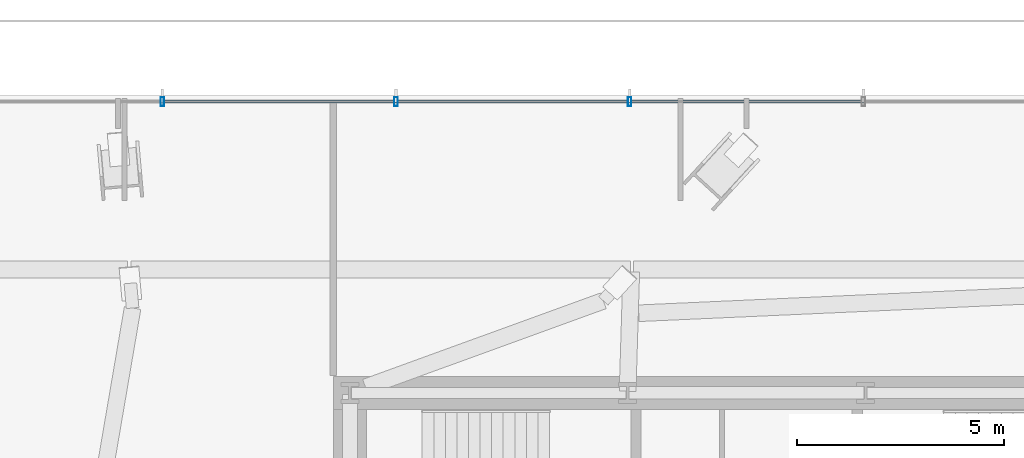
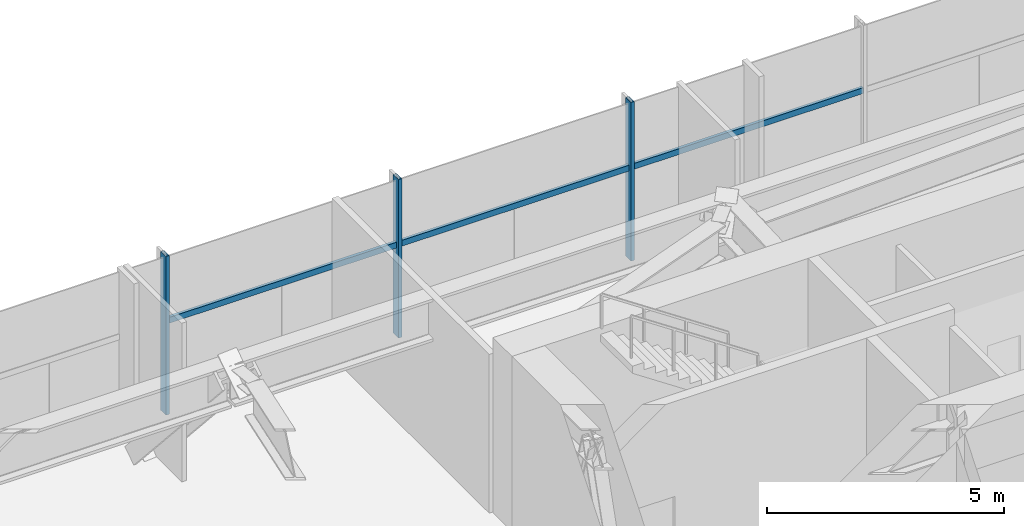
# One storey, part 12 of 29: 6 members, 1 element without a shape of its own.
"""IFC4 building model written with IfcOpenShell, lengths in metres."""

from ifc_helpers import new_model, si_unit, direction, frame, origin, origin_2d, place, context, subcontext, project, spatial, hollow_rectangle, extrude, source, transform, mapped, material, material_profile, profile_set, type_object, type_shapes, element, aggregate, save


model = new_model("IFC4")

# Units and contexts
model_context = context("Model", 3, precision=1e-05, world=origin(), true_north=direction((0.0, 1.0)))
body_context = subcontext(model_context, "Body", "Model", "MODEL_VIEW")
ifc_project = project(units=[si_unit("LENGTHUNIT", "METRE"), si_unit("AREAUNIT", "SQUARE_METRE"), si_unit("VOLUMEUNIT", "CUBIC_METRE"), si_unit("PLANEANGLEUNIT", "RADIAN"), si_unit("MASSUNIT", "GRAM", prefix="KILO")], contexts=[model_context])

# Site, building, storey
site_placement = place(None, origin())
site = spatial("IfcSite", under=ifc_project, at=site_placement, CompositionType="ELEMENT")
building_placement = place(site_placement, origin())
building = spatial("IfcBuilding", under=site, at=building_placement, Name="Astriad Promenade Condominiums", CompositionType="ELEMENT")
storey_placement = place(building_placement, frame((0.0, 0.0, 18.5)))
storey = spatial("IfcBuildingStorey", under=building, at=storey_placement, Name="L04", CompositionType="ELEMENT", Elevation=18.5)

# Curtain wall, members
ifc_material_1 = material(Name="Anodised aluminium Black Dark Glass Unitised", Category="aluminium")
curtain_wall_type = type_object("IfcCurtainWallType", Name="CW-POD-DARK", PredefinedType="USERDEFINED", material=ifc_material_1)
curtain_wall_placement = place(storey_placement, origin())
curtain_wall = element("IfcCurtainWall", 1, at=curtain_wall_placement, inside=storey, type_object=curtain_wall_type, Name="CW-L04-N", ObjectType="UNITISED_CURTAIN_WALL", PredefinedType="USERDEFINED")
ifc_material_2 = material(Name="Anodised aluminium 6063-T6 Black", Category="aluminium")
ifc_material_profile_1 = material_profile(ifc_material_2, hollow_rectangle(XDim=0.0849609375, YDim=0.219970703125, WallThickness=0.0048828125, at=origin_2d()), Name="ALU-MUL-85X220")
ifc_profile_set_1 = profile_set([ifc_material_profile_1], Name="Anodised aluminium 6063-T6 Black")
member_type_1 = type_object("IfcMemberType", Name="MUL-ALU-MUL-85X220", PredefinedType="MULLION", material=ifc_profile_set_1)
shared_shape_1 = source(origin(), body_context, "Body", "SweptSolid", [
    extrude(hollow_rectangle(XDim=0.0849609375, YDim=0.219970703125, WallThickness=0.0048828125, at=origin_2d()), origin(), (0.0, 0.0, 1.0), 4.080078125),
])
type_shapes(member_type_1, [shared_shape_1])
member_1_placement = place(storey_placement, frame((21.861083984375, 31.050048828125, 0.0), z_axis=(0.0, 0.0, 1.0), x_axis=(1.0, 0.0, 0.0)))
member_1 = element("IfcMember", 2, at=member_1_placement, type_object=member_type_1, Name="CW-L04-N-MUL-02", PredefinedType="MULLION", context=body_context, shape_type="MappedRepresentation", body=[
    mapped(shared_shape_1, transform((0.0, 0.0, 0.0), scale=1.0)),
])
member_2_placement = place(storey_placement, frame((27.5166015625, 31.050048828125, 0.0), z_axis=(0.0, 0.0, 1.0), x_axis=(1.0, 0.0, 0.0)))
member_2 = element("IfcMember", 3, at=member_2_placement, type_object=member_type_1, Name="CW-L04-N-MUL-03", PredefinedType="MULLION", context=body_context, shape_type="MappedRepresentation", body=[
    mapped(shared_shape_1, transform((0.0, 0.0, 0.0), scale=1.0)),
])
member_3_placement = place(storey_placement, frame((33.172119140625, 31.050048828125, 0.0), z_axis=(0.0, 0.0, 1.0), x_axis=(1.0, 0.0, 0.0)))
member_3 = element("IfcMember", 4, at=member_3_placement, type_object=member_type_1, Name="CW-L04-N-MUL-04", PredefinedType="MULLION", context=body_context, shape_type="MappedRepresentation", body=[
    mapped(shared_shape_1, transform((0.0, 0.0, 0.0), scale=1.0)),
])
ifc_material_profile_2 = material_profile(ifc_material_2, hollow_rectangle(XDim=0.074951171875, YDim=0.14990234375, WallThickness=0.004150390625, at=origin_2d()), Name="ALU-TRN-75X150")
ifc_profile_set_2 = profile_set([ifc_material_profile_2], Name="Anodised aluminium 6063-T6 Black")
member_type_2 = type_object("IfcMemberType", Name="TRN-ALU-TRN-75X150", PredefinedType="USERDEFINED", material=ifc_profile_set_2)
shared_shape_2 = source(origin(), body_context, "Body", "SweptSolid", [
    extrude(hollow_rectangle(XDim=0.074951171875, YDim=0.14990234375, WallThickness=0.004150390625, at=origin_2d()), origin(), (0.0, 0.0, 1.0), 5.655517578125),
])
member_4_placement = place(storey_placement, frame((21.861083984375, 31.050048828125, 2.35009765625), z_axis=(1.0, 0.0, 0.0), x_axis=(0.0, 1.0, 0.0)))
member_4 = element("IfcMember", 5, at=member_4_placement, type_object=member_type_2, Name="CW-L04-N-TRN-02-0", ObjectType="TRANSOM", PredefinedType="USERDEFINED", context=body_context, shape_type="MappedRepresentation", body=[
    mapped(shared_shape_2, transform((0.0, 0.0, 0.0), scale=1.0)),
])
member_5_placement = place(storey_placement, frame((27.5166015625, 31.050048828125, 2.35009765625), z_axis=(1.0, 0.0, 0.0), x_axis=(0.0, 1.0, 0.0)))
member_5 = element("IfcMember", 6, at=member_5_placement, type_object=member_type_2, Name="CW-L04-N-TRN-03-0", ObjectType="TRANSOM", PredefinedType="USERDEFINED", context=body_context, shape_type="MappedRepresentation", body=[
    mapped(shared_shape_2, transform((0.0, 0.0, 0.0), scale=1.0)),
])
shared_shape_3 = source(origin(), body_context, "Body", "SweptSolid", [
    extrude(hollow_rectangle(XDim=0.074951171875, YDim=0.14990234375, WallThickness=0.004150390625, at=origin_2d()), origin(), (0.0, 0.0, 1.0), 5.65576171875),
])
type_shapes(member_type_2, [shared_shape_2, shared_shape_3])
member_6_placement = place(storey_placement, frame((33.172119140625, 31.050048828125, 2.35009765625), z_axis=(1.0, 0.0, 0.0), x_axis=(0.0, 1.0, 0.0)))
member_6 = element("IfcMember", 7, at=member_6_placement, type_object=member_type_2, Name="CW-L04-N-TRN-04-0", ObjectType="TRANSOM", PredefinedType="USERDEFINED", context=body_context, shape_type="MappedRepresentation", body=[
    mapped(shared_shape_3, transform((0.0, 0.0, 0.0), scale=1.0)),
])
aggregate(curtain_wall, [member_1, member_2, member_3, member_4, member_5, member_6])

save(model, "model.ifc")
